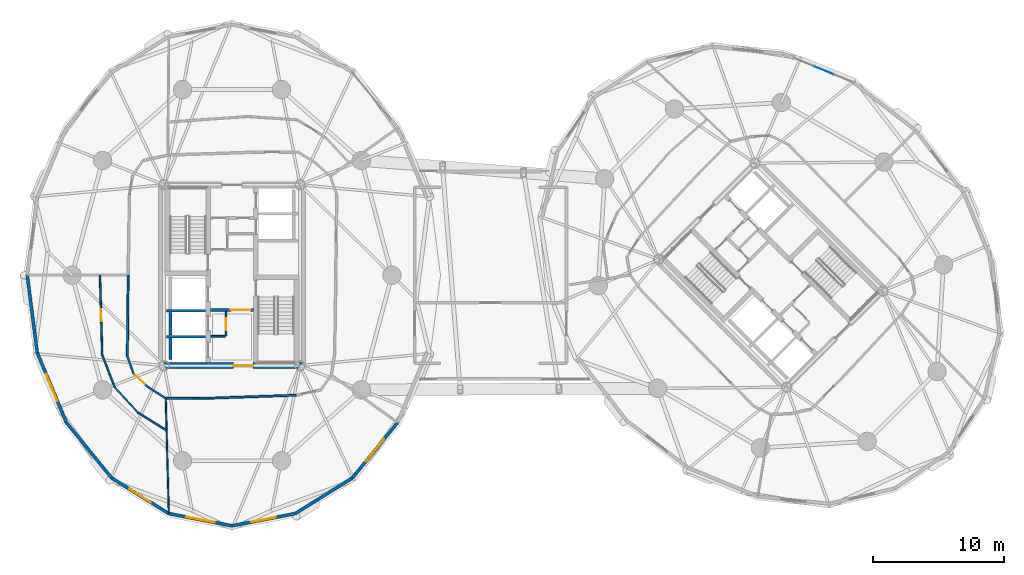
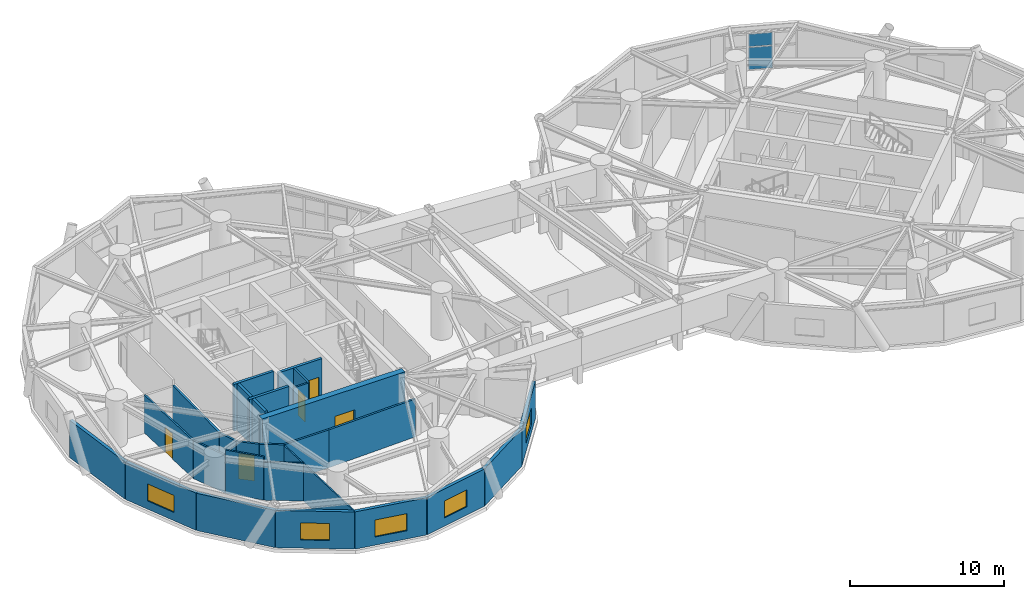
# One storey, part 9 of 17: 27 walls, 5 doors, 5 windows, 2 plates, 10 openings, 1 element without a shape of its own.
"""IFC4 building model written with IfcOpenShell, lengths in metres."""

from ifc_helpers import new_model, si_unit, direction, frame, frame_2d, origin, origin_2d, place, context, subcontext, project, spatial, rectangle, extrude, source, transform, mapped, material, layer, layer_set, type_object, element, fill, aggregate, save


model = new_model("IFC4")

# Units and contexts
model_context = context("Model", 3, precision=1e-05, world=origin(), true_north=direction((0.0, 1.0)))
body_context = subcontext(model_context, "Body", "Model", "MODEL_VIEW")
ifc_project = project(units=[si_unit("LENGTHUNIT", "METRE"), si_unit("AREAUNIT", "SQUARE_METRE"), si_unit("VOLUMEUNIT", "CUBIC_METRE"), si_unit("PLANEANGLEUNIT", "RADIAN"), si_unit("MASSUNIT", "GRAM", prefix="KILO")], contexts=[model_context])

# Site, building, storey
site_placement = place(None, origin())
site = spatial("IfcSite", under=ifc_project, at=site_placement, CompositionType="ELEMENT")
building_placement = place(site_placement, origin())
building = spatial("IfcBuilding", under=site, at=building_placement, Name="Cununo Teusaquillo Station Towers", CompositionType="ELEMENT")
storey_placement = place(building_placement, frame((0.0, 0.0, 125.43994140625)))
storey = spatial("IfcBuildingStorey", under=building, at=storey_placement, Name="L40", CompositionType="ELEMENT", Elevation=125.43994140625)

# Curtain wall, plates
ifc_material_1 = material(Name="Ceramic-fritted dark low-E double glazing", Category="glass")
ifc_layer_1 = layer(ifc_material_1, 0.179931640625)
ifc_layer_set_1 = layer_set([ifc_layer_1], Name="Ceramic-fritted dark low-E double glazing")
curtain_wall_type = type_object("IfcCurtainWallType", Name="CW-SYS-04", PredefinedType="USERDEFINED", material=ifc_layer_set_1)
curtain_wall_placement = place(storey_placement, origin())
curtain_wall = element("IfcCurtainWall", 1, at=curtain_wall_placement, inside=storey, type_object=curtain_wall_type, Name="L40 Tower B Facade Curtain Wall C01", ObjectType="FRITTED GLAZING", PredefinedType="USERDEFINED")
ifc_material_2 = material(Name="Ceramic-fritted dark low-E double glazing", Category="glass")
ifc_layer_2 = layer(ifc_material_2, 0.028076171875)
ifc_layer_set_2 = layer_set([ifc_layer_2], Name="Ceramic-fritted dark low-E double glazing")
plate_type = type_object("IfcPlateType", Name="CWP-FRIT-28", PredefinedType="CURTAIN_PANEL", material=ifc_layer_set_2)
shared_shape_1 = source(origin(), body_context, "Body", "SweptSolid", [
    extrude(rectangle(XDim=1.566162109375, YDim=0.028076171875, at=origin_2d()), origin(), (0.0, 0.0, 1.0), 1.7451171875),
])
plate_1_placement = place(storey_placement, frame((61.542236328125, 40.080322265625, 0.070068359375), z_axis=(0.0, 0.0, 1.0), x_axis=(0.924562443652, -0.381030560176, 0.0)))
plate_1 = element("IfcPlate", 2, at=plate_1_placement, type_object=plate_type, Name="CW-04 panel 2.1", PredefinedType="CURTAIN_PANEL", context=body_context, shape_type="MappedRepresentation", body=[
    mapped(shared_shape_1, transform((0.0, 0.0, 0.0), x_axis=(1.0, 0.0, 0.0), y_axis=(0.0, 1.0, 0.0), z_axis=(0.0, 0.0, 1.0), scale=1.0)),
])
shared_shape_2 = source(origin(), body_context, "Body", "SweptSolid", [
    extrude(rectangle(XDim=1.566162109375, YDim=0.028076171875, at=origin_2d()), origin(), (0.0, 0.0, 1.0), 0.993896484375),
])
plate_2_placement = place(storey_placement, frame((61.542236328125, 40.080322265625, 1.88525390625), z_axis=(0.0, 0.0, 1.0), x_axis=(0.924562443652, -0.381030560176, 0.0)))
plate_2 = element("IfcPlate", 3, at=plate_2_placement, type_object=plate_type, Name="CW-04 panel 2.2", PredefinedType="CURTAIN_PANEL", context=body_context, shape_type="MappedRepresentation", body=[
    mapped(shared_shape_2, transform((0.0, 0.0, 0.0), x_axis=(1.0, 0.0, 0.0), y_axis=(0.0, 1.0, 0.0), z_axis=(0.0, 0.0, 1.0), scale=1.0)),
])
aggregate(curtain_wall, [plate_1, plate_2])

# Walls
ifc_material_3 = material(Name="Concrete C50/60", Category="concrete")
ifc_layer_3 = layer(ifc_material_3, 0.199951171875)
ifc_layer_set_3 = layer_set([ifc_layer_3], Name="Concrete C50/60")
wall_type_1 = type_object("IfcWallType", Name="WL-CORE-200", PredefinedType="SHEAR", material=ifc_layer_set_3)
for number, where, z_axis, x_axis, name in (
    (4, (11.52001953125, 21.800048828125, 0.0), (0.0, 0.0, 1.0), (1.0, 0.0, 0.0), "L40 Tower A Firefighting Lift Shaft South Shear Wall"),
    (5, (11.52001953125, 19.824951171875, 0.0), (0.0, 0.0, 1.0), (1.0, 0.0, 0.0), "L40 Tower A High-Rise Lift Hoistway Divider Shear Wall"),
):
    element("IfcWall", number, at=place(storey_placement, frame(where, z_axis=z_axis, x_axis=x_axis)), inside=storey, type_object=wall_type_1, Name=name, PredefinedType="SHEAR", context=body_context, shape_type="SweptSolid", body=[
        extrude(rectangle(XDim=2.969970703125, YDim=0.199951171875, at=frame_2d((1.48486328125, 0.0))), origin(), (0.0, 0.0, 1.0), 3.719970703125),
    ])
wall_1_placement = place(storey_placement, frame((11.820068359375, 19.945068359375, 0.0), z_axis=(0.0, 0.0, 1.0), x_axis=(0.0, 1.0, 0.0)))
element("IfcWall", 6, at=wall_1_placement, inside=storey, type_object=wall_type_1, Name="L40 Tower A High-Rise Lift 2 Shaft Rear Shear Wall", PredefinedType="SHEAR", context=body_context, shape_type="SweptSolid", body=[
    extrude(rectangle(XDim=1.73486328125, YDim=0.199951171875, at=frame_2d((0.867431640625, 0.0))), origin(), (0.0, 0.0, 1.0), 3.719970703125),
])
wall_2_placement = place(storey_placement, frame((11.820068359375, 18.070068359375, 0.0), z_axis=(0.0, 0.0, 1.0), x_axis=(0.0, 1.0, 0.0)))
element("IfcWall", 7, at=wall_2_placement, inside=storey, type_object=wall_type_1, Name="L40 Tower A High-Rise Lift 1 Shaft Rear Shear Wall", PredefinedType="SHEAR", context=body_context, shape_type="SweptSolid", body=[
    extrude(rectangle(XDim=1.635009765625, YDim=0.199951171875, at=frame_2d((0.8173828125, 0.0))), origin(), (0.0, 0.0, 1.0), 3.719970703125),
])

# Wall, opening, door
ifc_material_4 = material(Name="Concrete C60/75", Category="concrete")
ifc_layer_4 = layer(ifc_material_4, 0.449951171875)
ifc_layer_set_4 = layer_set([ifc_layer_4], Name="Concrete C60/75")
wall_type_2 = type_object("IfcWallType", Name="WL-CORE-450", PredefinedType="SHEAR", material=ifc_layer_set_4)
wall_3_placement = place(storey_placement, frame((11.14990234375, 17.625, 0.0), z_axis=(0.0, 0.0, 1.0), x_axis=(1.0, 0.0, 0.0)))
wall_3 = element("IfcWall", 8, at=wall_3_placement, inside=storey, type_object=wall_type_2, Name="L40 Tower A Core Shear Wall S", PredefinedType="SHEAR", context=body_context, shape_type="SweptSolid", body=[
    extrude(rectangle(XDim=10.7001953125, YDim=0.449951171875, at=frame_2d((5.35009765625, 0.0))), origin(), (0.0, 0.0, 1.0), 3.719970703125),
])
shared_shape_3 = source(origin(), body_context, "Body", "SweptSolid", [
    extrude(rectangle(XDim=1.5, YDim=2.02001953125, at=frame_2d((0.75, 1.010009765625))), frame((0.0, 0.23486328125, 0.0), z_axis=(0.0, -1.0, 0.0), x_axis=(1.0, 0.0, 0.0)), (0.0, 0.0, 1.0), 0.469970703125),
])
opening_1_placement = place(wall_3_placement, frame((5.449951171875, 0.0, 0.0)))
opening_1 = element("IfcOpeningElement", 9, at=opening_1_placement, cuts=wall_3, Name="Opening D-LB1", PredefinedType="OPENING", context=body_context, shape_type="MappedRepresentation", body=[
    mapped(shared_shape_3, transform((0.0, 0.0, 0.0), x_axis=(1.0, 0.0, 0.0), y_axis=(0.0, 1.0, 0.0), z_axis=(0.0, 0.0, 1.0), scale=1.0)),
])
ifc_material_5 = material(Name="Galvanised fire-rated hollow steel door assembly", Category="steel")
door_type_1 = type_object("IfcDoorType", Name="DR-LOBBY-1500", OperationType="DOUBLE_DOOR_SINGLE_SWING", PredefinedType="DOOR", material=ifc_material_5)
shared_shape_4 = source(origin(), body_context, "Body", "SweptSolid", [
    extrude(rectangle(XDim=1.5, YDim=2.02001953125, at=frame_2d((0.75, 1.010009765625))), frame((0.0, 0.02490234375, 0.0), z_axis=(0.0, -1.0, 0.0), x_axis=(1.0, 0.0, 0.0)), (0.0, 0.0, 1.0), 0.050048828125),
])
door_1_placement = place(opening_1_placement, origin())
door_1 = element("IfcDoor", 10, at=door_1_placement, inside=storey, type_object=door_type_1, Name="L40 Tower A South Core Lift Lobby Door", OperationType="DOUBLE_DOOR_SINGLE_SWING", OverallHeight=2.02001953125, OverallWidth=1.5, PredefinedType="DOOR", context=body_context, shape_type="MappedRepresentation", body=[
    mapped(shared_shape_4, transform((0.0, 0.0, 0.0), x_axis=(1.0, 0.0, 0.0), y_axis=(0.0, 1.0, 0.0), z_axis=(0.0, 0.0, 1.0), scale=1.0)),
])
fill(opening_1, door_1)

# Wall
ifc_material_6 = material(Name="Precast concrete C40/50", Category="concrete")
ifc_layer_5 = layer(ifc_material_6, 0.239990234375)
ifc_layer_set_5 = layer_set([ifc_layer_5], Name="Precast concrete C40/50")
wall_type_3 = type_object("IfcWallType", Name="WL-EXT-240", PredefinedType="SOLIDWALL", material=ifc_layer_set_5)
wall_4_placement = place(storey_placement, frame((1.681640625, 18.60693359375, 0.0), z_axis=(0.0, 0.0, 1.0), x_axis=(-0.128351991996, 0.991728675672, 0.0)))
element("IfcWall", 11, at=wall_4_placement, inside=storey, type_object=wall_type_3, Name="L40 Tower A Exterior Facade Wall C10", PredefinedType="SOLIDWALL", context=body_context, shape_type="SweptSolid", body=[
    extrude(rectangle(XDim=5.942138671875, YDim=0.239990234375, at=frame_2d((2.97119140625, 0.0))), origin(), (0.0, 0.0, 1.0), 2.948974609375),
])

# Wall, opening, window
wall_5_placement = place(storey_placement, frame((3.894775390625, 13.291015625, 0.0), z_axis=(0.0, 0.0, 1.0), x_axis=(-0.384344417632, 0.923189779317, 0.0)))
wall_5 = element("IfcWall", 12, at=wall_5_placement, inside=storey, type_object=wall_type_3, Name="L40 Tower A Exterior Facade Wall C11", PredefinedType="SOLIDWALL", context=body_context, shape_type="SweptSolid", body=[
    extrude(rectangle(XDim=5.75830078125, YDim=0.239990234375, at=frame_2d((2.879150390625, 0.0))), origin(), (0.0, 0.0, 1.0), 2.948974609375),
])
shared_shape_5 = source(origin(), body_context, "Body", "SweptSolid", [
    extrude(rectangle(XDim=2.199951171875, YDim=1.35009765625, at=frame_2d((1.10009765625, 0.675048828125))), frame((0.0, 0.1298828125, 0.0), z_axis=(0.0, -1.0, 0.0), x_axis=(1.0, 0.0, 0.0)), (0.0, 0.0, 1.0), 0.260009765625),
])
opening_2_placement = place(wall_5_placement, frame((1.779052734375, 0.0, 0.64990234375)))
opening_2 = element("IfcOpeningElement", 13, at=opening_2_placement, cuts=wall_5, Name="Opening WN-01", PredefinedType="OPENING", context=body_context, shape_type="MappedRepresentation", body=[
    mapped(shared_shape_5, transform((0.0, 0.0, 0.0), x_axis=(1.0, 0.0, 0.0), y_axis=(0.0, 1.0, 0.0), z_axis=(0.0, 0.0, 1.0), scale=1.0)),
])
ifc_material_7 = material(Name="Ceramic-fritted dark low-E double glazing", Category="glass")
window_type_1 = type_object("IfcWindowType", Name="WIN-FRIT-2200", PartitioningType="DOUBLE_PANEL_VERTICAL", PredefinedType="WINDOW", material=ifc_material_7)
shared_shape_6 = source(origin(), body_context, "Body", "SweptSolid", [
    extrude(rectangle(XDim=2.199951171875, YDim=1.35009765625, at=frame_2d((1.10009765625, 0.675048828125))), frame((0.0, 0.030029296875, 0.0), z_axis=(0.0, -1.0, 0.0), x_axis=(1.0, 0.0, 0.0)), (0.0, 0.0, 1.0), 0.06005859375),
])
window_1_placement = place(opening_2_placement, origin())
window_1 = element("IfcWindow", 14, at=window_1_placement, inside=storey, type_object=window_type_1, Name="L40 Tower A Facade Window C11", OverallHeight=1.35009765625, OverallWidth=2.199951171875, PartitioningType="DOUBLE_PANEL_VERTICAL", PredefinedType="WINDOW", context=body_context, shape_type="MappedRepresentation", body=[
    mapped(shared_shape_6, transform((0.0, 0.0, 0.0), x_axis=(1.0, 0.0, 0.0), y_axis=(0.0, 1.0, 0.0), z_axis=(0.0, 0.0, 1.0), scale=1.0)),
])
fill(opening_2, window_1)

# Wall
wall_6_placement = place(storey_placement, frame((7.341796875, 9.072021484375, 0.0), z_axis=(0.0, 0.0, 1.0), x_axis=(-0.632700781152, 0.77439635945, 0.0)))
element("IfcWall", 15, at=wall_6_placement, inside=storey, type_object=wall_type_3, Name="L40 Tower A Exterior Facade Wall C12", PredefinedType="SOLIDWALL", context=body_context, shape_type="SweptSolid", body=[
    extrude(rectangle(XDim=5.447998046875, YDim=0.239990234375, at=frame_2d((2.72412109375, 0.0))), origin(), (0.0, 0.0, 1.0), 2.948974609375),
])

# Wall, opening, window
wall_7_placement = place(storey_placement, frame((11.685302734375, 6.36328125, 0.0), z_axis=(0.0, 0.0, 1.0), x_axis=(-0.848520380187, 0.529162701263, 0.0)))
wall_7 = element("IfcWall", 16, at=wall_7_placement, inside=storey, type_object=wall_type_3, Name="L40 Tower A Exterior Facade Wall C13", PredefinedType="SOLIDWALL", context=body_context, shape_type="SweptSolid", body=[
    extrude(rectangle(XDim=5.118896484375, YDim=0.239990234375, at=frame_2d((2.5595703125, 0.0))), origin(), (0.0, 0.0, 1.0), 2.948974609375),
])
shared_shape_7 = source(origin(), body_context, "Body", "SweptSolid", [
    extrude(rectangle(XDim=1.89990234375, YDim=1.35009765625, at=frame_2d((0.949951171875, 0.675048828125))), frame((0.0, 0.1298828125, 0.0), z_axis=(0.0, -1.0, 0.0), x_axis=(1.0, 0.0, 0.0)), (0.0, 0.0, 1.0), 0.260009765625),
])
opening_3_placement = place(wall_7_placement, frame((1.60888671875, 0.0, 0.64990234375)))
opening_3 = element("IfcOpeningElement", 17, at=opening_3_placement, cuts=wall_7, Name="Opening WN-02", PredefinedType="OPENING", context=body_context, shape_type="MappedRepresentation", body=[
    mapped(shared_shape_7, transform((0.0, 0.0, 0.0), x_axis=(1.0, 0.0, 0.0), y_axis=(0.0, 1.0, 0.0), z_axis=(0.0, 0.0, 1.0), scale=1.0)),
])
ifc_material_8 = material(Name="Operable acoustic tinted low-E double glazing", Category="glass")
window_type_2 = type_object("IfcWindowType", Name="WIN-OPER-1900", PartitioningType="DOUBLE_PANEL_VERTICAL", PredefinedType="WINDOW", material=ifc_material_8)
shared_shape_8 = source(origin(), body_context, "Body", "SweptSolid", [
    extrude(rectangle(XDim=1.89990234375, YDim=1.35009765625, at=frame_2d((0.949951171875, 0.675048828125))), frame((0.0, 0.030029296875, 0.0), z_axis=(0.0, -1.0, 0.0), x_axis=(1.0, 0.0, 0.0)), (0.0, 0.0, 1.0), 0.06005859375),
])
window_2_placement = place(opening_3_placement, origin())
window_2 = element("IfcWindow", 18, at=window_2_placement, inside=storey, type_object=window_type_2, Name="L40 Tower A Facade Window C13", OverallHeight=1.35009765625, OverallWidth=1.89990234375, PartitioningType="DOUBLE_PANEL_VERTICAL", PredefinedType="WINDOW", context=body_context, shape_type="MappedRepresentation", body=[
    mapped(shared_shape_8, transform((0.0, 0.0, 0.0), x_axis=(1.0, 0.0, 0.0), y_axis=(0.0, 1.0, 0.0), z_axis=(0.0, 0.0, 1.0), scale=1.0)),
])
fill(opening_3, window_2)

wall_8_placement = place(storey_placement, frame((16.5, 5.429931640625, 0.0), z_axis=(0.0, 0.0, 1.0), x_axis=(-0.981723785992, 0.190311344954, 0.0)))
wall_8 = element("IfcWall", 19, at=wall_8_placement, inside=storey, type_object=wall_type_3, Name="L40 Tower A Exterior Facade Wall C14", PredefinedType="SOLIDWALL", context=body_context, shape_type="SweptSolid", body=[
    extrude(rectangle(XDim=4.904296875, YDim=0.239990234375, at=frame_2d((2.4521484375, 0.0))), origin(), (0.0, 0.0, 1.0), 2.948974609375),
])
opening_4_placement = place(wall_8_placement, frame((1.35205078125, 0.0, 0.64990234375)))
opening_4 = element("IfcOpeningElement", 20, at=opening_4_placement, cuts=wall_8, Name="Opening WN-01", PredefinedType="OPENING", context=body_context, shape_type="MappedRepresentation", body=[
    mapped(shared_shape_5, transform((0.0, 0.0, 0.0), x_axis=(1.0, 0.0, 0.0), y_axis=(0.0, 1.0, 0.0), z_axis=(0.0, 0.0, 1.0), scale=1.0)),
])
window_3_placement = place(opening_4_placement, origin())
window_3 = element("IfcWindow", 21, at=window_3_placement, inside=storey, type_object=window_type_1, Name="L40 Tower A Facade Window C14", OverallHeight=1.35009765625, OverallWidth=2.199951171875, PartitioningType="DOUBLE_PANEL_VERTICAL", PredefinedType="WINDOW", context=body_context, shape_type="MappedRepresentation", body=[
    mapped(shared_shape_6, transform((0.0, 0.0, 0.0), x_axis=(1.0, 0.0, 0.0), y_axis=(0.0, 1.0, 0.0), z_axis=(0.0, 0.0, 1.0), scale=1.0)),
])
fill(opening_4, window_3)

wall_9_placement = place(storey_placement, frame((21.314697265625, 6.36328125, 0.0), z_axis=(0.0, 0.0, 1.0), x_axis=(-0.981723785992, -0.190311344954, 0.0)))
wall_9 = element("IfcWall", 22, at=wall_9_placement, inside=storey, type_object=wall_type_3, Name="L40 Tower A Exterior Facade Wall C15", PredefinedType="SOLIDWALL", context=body_context, shape_type="SweptSolid", body=[
    extrude(rectangle(XDim=4.904296875, YDim=0.239990234375, at=frame_2d((2.4521484375, 0.0))), origin(), (0.0, 0.0, 1.0), 2.948974609375),
])
opening_5_placement = place(wall_9_placement, frame((1.501953125, 0.0, 0.64990234375)))
opening_5 = element("IfcOpeningElement", 23, at=opening_5_placement, cuts=wall_9, Name="Opening WN-02", PredefinedType="OPENING", context=body_context, shape_type="MappedRepresentation", body=[
    mapped(shared_shape_7, transform((0.0, 0.0, 0.0), x_axis=(1.0, 0.0, 0.0), y_axis=(0.0, 1.0, 0.0), z_axis=(0.0, 0.0, 1.0), scale=1.0)),
])
window_4_placement = place(opening_5_placement, origin())
window_4 = element("IfcWindow", 24, at=window_4_placement, inside=storey, type_object=window_type_2, Name="L40 Tower A Facade Window C15", OverallHeight=1.35009765625, OverallWidth=1.89990234375, PartitioningType="DOUBLE_PANEL_VERTICAL", PredefinedType="WINDOW", context=body_context, shape_type="MappedRepresentation", body=[
    mapped(shared_shape_8, transform((0.0, 0.0, 0.0), x_axis=(1.0, 0.0, 0.0), y_axis=(0.0, 1.0, 0.0), z_axis=(0.0, 0.0, 1.0), scale=1.0)),
])
fill(opening_5, window_4)

# Wall
wall_10_placement = place(storey_placement, frame((25.658203125, 9.072021484375, 0.0), z_axis=(0.0, 0.0, 1.0), x_axis=(-0.848520380187, -0.529162701263, 0.0)))
element("IfcWall", 25, at=wall_10_placement, inside=storey, type_object=wall_type_3, Name="L40 Tower A Exterior Facade Wall C16", PredefinedType="SOLIDWALL", context=body_context, shape_type="SweptSolid", body=[
    extrude(rectangle(XDim=5.118896484375, YDim=0.239990234375, at=frame_2d((2.5595703125, 0.0))), origin(), (0.0, 0.0, 1.0), 2.948974609375),
])

# Wall, opening, window
wall_11_placement = place(storey_placement, frame((29.105224609375, 13.291015625, 0.0), z_axis=(0.0, 0.0, 1.0), x_axis=(-0.632700781152, -0.77439635945, 0.0)))
wall_11 = element("IfcWall", 26, at=wall_11_placement, inside=storey, type_object=wall_type_3, Name="L40 Tower A Exterior Facade Wall C17", PredefinedType="SOLIDWALL", context=body_context, shape_type="SweptSolid", body=[
    extrude(rectangle(XDim=5.447998046875, YDim=0.239990234375, at=frame_2d((2.72412109375, 0.0))), origin(), (0.0, 0.0, 1.0), 2.948974609375),
])
opening_6_placement = place(wall_11_placement, frame((1.6240234375, 0.0, 0.64990234375)))
opening_6 = element("IfcOpeningElement", 27, at=opening_6_placement, cuts=wall_11, Name="Opening WN-01", PredefinedType="OPENING", context=body_context, shape_type="MappedRepresentation", body=[
    mapped(shared_shape_5, transform((0.0, 0.0, 0.0), x_axis=(1.0, 0.0, 0.0), y_axis=(0.0, 1.0, 0.0), z_axis=(0.0, 0.0, 1.0), scale=1.0)),
])
window_5_placement = place(opening_6_placement, origin())
window_5 = element("IfcWindow", 28, at=window_5_placement, inside=storey, type_object=window_type_1, Name="L40 Tower A Facade Window C17", OverallHeight=1.35009765625, OverallWidth=2.199951171875, PartitioningType="DOUBLE_PANEL_VERTICAL", PredefinedType="WINDOW", context=body_context, shape_type="MappedRepresentation", body=[
    mapped(shared_shape_6, transform((0.0, 0.0, 0.0), x_axis=(1.0, 0.0, 0.0), y_axis=(0.0, 1.0, 0.0), z_axis=(0.0, 0.0, 1.0), scale=1.0)),
])
fill(opening_6, window_5)

# Wall
ifc_material_9 = material(Name="Fire-rated gypsum plasterboard partition assembly", Category="gypsum")
ifc_layer_6 = layer(ifc_material_9, 0.10009765625)
ifc_layer_set_6 = layer_set([ifc_layer_6], Name="Fire-rated gypsum plasterboard partition assembly")
wall_type_4 = type_object("IfcWallType", Name="WL-PART-100", PredefinedType="MOVABLE", material=ifc_layer_set_6)
wall_12_placement = place(storey_placement, frame((11.459716796875, 15.128662109375, 0.0), z_axis=(0.0, 0.0, 1.0), x_axis=(0.026480592098, -0.999649327636, 0.0)))
element("IfcWall", 29, at=wall_12_placement, inside=storey, type_object=wall_type_4, Name="L40 Tower A Radial Suite Partition R04", PredefinedType="MOVABLE", context=body_context, shape_type="SweptSolid", body=[
    extrude(rectangle(XDim=8.74951171875, YDim=0.10009765625, at=frame_2d((4.374755859375, 0.0))), origin(), (0.0, 0.0, 1.0), 2.948974609375),
])

# Wall, opening, door
ifc_material_10 = material(Name="Fire-rated gypsum plasterboard partition assembly", Category="gypsum")
ifc_layer_7 = layer(ifc_material_10, 0.125)
ifc_layer_set_7 = layer_set([ifc_layer_7], Name="Fire-rated gypsum plasterboard partition assembly")
wall_type_5 = type_object("IfcWallType", Name="WL-PART-125", PredefinedType="PARTITIONING", material=ifc_layer_set_7)
wall_13_placement = place(storey_placement, frame((16.050048828125, 19.8798828125, 0.0), z_axis=(0.0, 0.0, 1.0), x_axis=(0.0, 1.0, 0.0)))
wall_13 = element("IfcWall", 30, at=wall_13_placement, inside=storey, type_object=wall_type_5, Name="L40 Tower A North-West Lobby Store East Wall", PredefinedType="PARTITIONING", context=body_context, shape_type="SweptSolid", body=[
    extrude(rectangle(XDim=1.8701171875, YDim=0.125, at=frame_2d((0.93505859375, 0.0))), origin(), (0.0, 0.0, 1.0), 3.425048828125),
])
shared_shape_9 = source(origin(), body_context, "Body", "SweptSolid", [
    extrude(rectangle(XDim=0.89990234375, YDim=2.0048828125, at=frame_2d((0.449951171875, 1.00244140625))), frame((0.0, 0.072509765625, 0.0), z_axis=(0.0, -1.0, 0.0), x_axis=(1.0, 0.0, 0.0)), (0.0, 0.0, 1.0), 0.14501953125),
])
opening_7_placement = place(wall_13_placement, frame((0.449951171875, 0.0, 0.0)))
opening_7 = element("IfcOpeningElement", 31, at=opening_7_placement, cuts=wall_13, Name="Opening D-SR1", PredefinedType="OPENING", context=body_context, shape_type="MappedRepresentation", body=[
    mapped(shared_shape_9, transform((0.0, 0.0, 0.0), x_axis=(1.0, 0.0, 0.0), y_axis=(0.0, 1.0, 0.0), z_axis=(0.0, 0.0, 1.0), scale=1.0)),
])
ifc_material_11 = material(Name="Galvanised fire-rated hollow steel door assembly", Category="steel")
door_type_2 = type_object("IfcDoorType", Name="DR-STORE-900", OperationType="NOTDEFINED", PredefinedType="DOOR", material=ifc_material_11)
shared_shape_10 = source(origin(), body_context, "Body", "SweptSolid", [
    extrude(rectangle(XDim=0.89990234375, YDim=2.0048828125, at=frame_2d((0.449951171875, 1.00244140625))), frame((0.0, 0.02490234375, 0.0), z_axis=(0.0, -1.0, 0.0), x_axis=(1.0, 0.0, 0.0)), (0.0, 0.0, 1.0), 0.050048828125),
])
door_2_placement = place(opening_7_placement, origin())
door_2 = element("IfcDoor", 32, at=door_2_placement, inside=storey, type_object=door_type_2, Name="L40 Tower A South Lobby Data Store Door", OperationType="SINGLE_SWING_RIGHT", OverallHeight=2.0048828125, OverallWidth=0.89990234375, PredefinedType="DOOR", context=body_context, shape_type="MappedRepresentation", body=[
    mapped(shared_shape_10, transform((0.0, 0.0, 0.0), x_axis=(1.0, 0.0, 0.0), y_axis=(0.0, 1.0, 0.0), z_axis=(0.0, 0.0, 1.0), scale=1.0)),
])
fill(opening_7, door_2)

# Wall
wall_14_placement = place(storey_placement, frame((14.8798828125, 19.85009765625, 0.0), z_axis=(0.0, 0.0, 1.0), x_axis=(1.0, 0.0, 0.0)))
element("IfcWall", 33, at=wall_14_placement, inside=storey, type_object=wall_type_5, Name="L40 Tower A North-West Lobby Store South Wall", PredefinedType="PARTITIONING", context=body_context, shape_type="SweptSolid", body=[
    extrude(rectangle(XDim=1.10009765625, YDim=0.125, at=frame_2d((0.550048828125, 0.0))), origin(), (0.0, 0.0, 1.0), 3.425048828125),
])

# Wall, opening, door
wall_15_placement = place(storey_placement, frame((6.454833984375, 24.5, 0.0), z_axis=(0.0, 0.0, 1.0), x_axis=(0.027753708707, -0.999614791634, 0.0)))
wall_15 = element("IfcWall", 34, at=wall_15_placement, inside=storey, type_object=wall_type_5, Name="L40 Tower A VIP Delegation Briefing Salon Concentric Partition Wall C10", PredefinedType="PARTITIONING", context=body_context, shape_type="SweptSolid", body=[
    extrude(rectangle(XDim=6.08740234375, YDim=0.125, at=frame_2d((3.043701171875, 0.0))), origin(), (0.0, 0.0, 1.0), 2.9951171875),
])
opening_8_placement = place(wall_15_placement, frame((2.593505859375, 0.0, 0.0)))
opening_8 = element("IfcOpeningElement", 35, at=opening_8_placement, cuts=wall_15, Name="Opening D-IN1", PredefinedType="OPENING", context=body_context, shape_type="MappedRepresentation", body=[
    mapped(shared_shape_9, transform((0.0, 0.0, 0.0), x_axis=(1.0, 0.0, 0.0), y_axis=(0.0, 1.0, 0.0), z_axis=(0.0, 0.0, 1.0), scale=1.0)),
])
ifc_material_12 = material(Name="Acoustic solid-core hardwood leaf assembly", Category="wood")
door_type_3 = type_object("IfcDoorType", Name="DR-INT-900", OperationType="NOTDEFINED", PredefinedType="DOOR", material=ifc_material_12)
door_3_placement = place(opening_8_placement, origin())
door_3 = element("IfcDoor", 36, at=door_3_placement, inside=storey, type_object=door_type_3, Name="L40 Tower A VIP Delegation Briefing Salon Connecting Door", OperationType="SINGLE_SWING_LEFT", OverallHeight=2.0048828125, OverallWidth=0.89990234375, PredefinedType="DOOR", context=body_context, shape_type="MappedRepresentation", body=[
    mapped(shared_shape_10, transform((0.0, 0.0, 0.0), x_axis=(1.0, 0.0, 0.0), y_axis=(0.0, 1.0, 0.0), z_axis=(0.0, 0.0, 1.0), scale=1.0)),
])
fill(opening_8, door_3)

# Walls
wall_16_placement = place(storey_placement, frame((6.623779296875, 18.4150390625, 0.0), z_axis=(0.0, 0.0, 1.0), x_axis=(0.363854295337, -0.931455877519, 0.0)))
element("IfcWall", 37, at=wall_16_placement, inside=storey, type_object=wall_type_5, Name="L40 Tower A VIP Delegation Briefing Salon Concentric Partition Wall C11", PredefinedType="PARTITIONING", context=body_context, shape_type="SweptSolid", body=[
    extrude(rectangle(XDim=2.635009765625, YDim=0.125, at=frame_2d((1.3173828125, 0.0))), origin(), (0.0, 0.0, 1.0), 2.9951171875),
])
wall_17_placement = place(storey_placement, frame((7.58251953125, 15.960693359375, 0.0), z_axis=(0.0, 0.0, 1.0), x_axis=(0.677838563189, -0.735210774032, 0.0)))
element("IfcWall", 38, at=wall_17_placement, inside=storey, type_object=wall_type_5, Name="L40 Tower A VIP Delegation Briefing Salon Concentric Partition Wall C12", PredefinedType="PARTITIONING", context=body_context, shape_type="SweptSolid", body=[
    extrude(rectangle(XDim=2.595703125, YDim=0.125, at=frame_2d((1.2978515625, 0.0))), origin(), (0.0, 0.0, 1.0), 3.425048828125),
])
wall_18_placement = place(storey_placement, frame((9.342041015625, 14.05224609375, 0.0), z_axis=(0.0, 0.0, 1.0), x_axis=(0.846526826244, -0.532346064557, 0.0)))
element("IfcWall", 39, at=wall_18_placement, inside=storey, type_object=wall_type_5, Name="L40 Tower A VIP Delegation Briefing Salon Concentric Partition Wall C13", PredefinedType="PARTITIONING", context=body_context, shape_type="SweptSolid", body=[
    extrude(rectangle(XDim=2.578369140625, YDim=0.125, at=frame_2d((1.2890625, 0.0))), origin(), (0.0, 0.0, 1.0), 2.9951171875),
])
ifc_material_13 = material(Name="Fire-rated gypsum plasterboard partition assembly", Category="gypsum")
ifc_layer_8 = layer(ifc_material_13, 0.14990234375)
ifc_layer_set_8 = layer_set([ifc_layer_8], Name="Fire-rated gypsum plasterboard partition assembly")
wall_type_6 = type_object("IfcWallType", Name="WL-PART-150", PredefinedType="PARTITIONING", material=ifc_layer_set_8)
wall_19_placement = place(storey_placement, frame((8.60009765625, 24.5, 0.0), z_axis=(0.0, 0.0, 1.0), x_axis=(-0.010023665349, -0.999949761805, 0.0)))
element("IfcWall", 40, at=wall_19_placement, inside=storey, type_object=wall_type_6, Name="L40 Tower A Corridor Ring Wall C10", PredefinedType="PARTITIONING", context=body_context, shape_type="SweptSolid", body=[
    extrude(rectangle(XDim=6.162109375, YDim=0.14990234375, at=frame_2d((3.0810546875, 0.0))), origin(), (0.0, 0.0, 1.0), 2.9951171875),
])
wall_20_placement = place(storey_placement, frame((8.538330078125, 18.338134765625, 0.0), z_axis=(0.0, 0.0, 1.0), x_axis=(0.331358150167, -0.94350504838, 0.0)))
element("IfcWall", 41, at=wall_20_placement, inside=storey, type_object=wall_type_6, Name="L40 Tower A Corridor Ring Wall C11", PredefinedType="PARTITIONING", context=body_context, shape_type="SweptSolid", body=[
    extrude(rectangle(XDim=1.42431640625, YDim=0.14990234375, at=frame_2d((0.712158203125, 0.0))), origin(), (0.0, 0.0, 1.0), 2.9951171875),
])

# Wall, opening, door
wall_21_placement = place(storey_placement, frame((9.01025390625, 16.994384765625, 0.0), z_axis=(0.0, 0.0, 1.0), x_axis=(0.737701798986, -0.67512669609, 0.0)))
wall_21 = element("IfcWall", 42, at=wall_21_placement, inside=storey, type_object=wall_type_6, Name="L40 Tower A Corridor Ring Wall C12", PredefinedType="PARTITIONING", context=body_context, shape_type="SweptSolid", body=[
    extrude(rectangle(XDim=1.498291015625, YDim=0.14990234375, at=frame_2d((0.7490234375, 0.0))), origin(), (0.0, 0.0, 1.0), 2.9951171875),
])
shared_shape_11 = source(origin(), body_context, "Body", "SweptSolid", [
    extrude(rectangle(XDim=1.050048828125, YDim=2.014892578125, at=frame_2d((0.52490234375, 1.00732421875))), frame((0.0, 0.0849609375, 0.0), z_axis=(0.0, -1.0, 0.0), x_axis=(1.0, 0.0, 0.0)), (0.0, 0.0, 1.0), 0.169921875),
])
opening_9_placement = place(wall_21_placement, frame((0.1201171875, 0.0, 0.0)))
opening_9 = element("IfcOpeningElement", 43, at=opening_9_placement, cuts=wall_21, Name="Opening D-SU1", PredefinedType="OPENING", context=body_context, shape_type="MappedRepresentation", body=[
    mapped(shared_shape_11, transform((0.0, 0.0, 0.0), x_axis=(1.0, 0.0, 0.0), y_axis=(0.0, 1.0, 0.0), z_axis=(0.0, 0.0, 1.0), scale=1.0)),
])
ifc_material_14 = material(Name="Acoustic solid-core hardwood leaf assembly", Category="wood")
door_type_4 = type_object("IfcDoorType", Name="DR-SUITE-1050", OperationType="NOTDEFINED", PredefinedType="DOOR", material=ifc_material_14)
shared_shape_12 = source(origin(), body_context, "Body", "SweptSolid", [
    extrude(rectangle(XDim=1.050048828125, YDim=2.014892578125, at=frame_2d((0.52490234375, 1.00732421875))), frame((0.0, 0.02490234375, 0.0), z_axis=(0.0, -1.0, 0.0), x_axis=(1.0, 0.0, 0.0)), (0.0, 0.0, 1.0), 0.050048828125),
])
door_4_placement = place(opening_9_placement, origin())
door_4 = element("IfcDoor", 44, at=door_4_placement, inside=storey, type_object=door_type_4, Name="L40 Tower A VIP Delegation Briefing Salon Entrance Door", OperationType="SINGLE_SWING_RIGHT", OverallHeight=2.014892578125, OverallWidth=1.050048828125, PredefinedType="DOOR", context=body_context, shape_type="MappedRepresentation", body=[
    mapped(shared_shape_12, transform((0.0, 0.0, 0.0), x_axis=(1.0, 0.0, 0.0), y_axis=(0.0, 1.0, 0.0), z_axis=(0.0, 0.0, 1.0), scale=1.0)),
])
fill(opening_9, door_4)

# Walls
wall_22_placement = place(storey_placement, frame((10.115478515625, 15.98291015625, 0.0), z_axis=(0.0, 0.0, 1.0), x_axis=(0.843995849351, -0.536349705209, 0.0)))
element("IfcWall", 45, at=wall_22_placement, inside=storey, type_object=wall_type_6, Name="L40 Tower A Corridor Ring Wall C13", PredefinedType="PARTITIONING", context=body_context, shape_type="SweptSolid", body=[
    extrude(rectangle(XDim=1.5927734375, YDim=0.14990234375, at=frame_2d((0.79638671875, 0.0))), origin(), (0.0, 0.0, 1.0), 2.9951171875),
])
wall_23_placement = place(storey_placement, frame((11.459716796875, 15.128662109375, 0.0), z_axis=(0.0, 0.0, 1.0), x_axis=(0.999993513287, 0.003601858435, 0.0)))
element("IfcWall", 46, at=wall_23_placement, inside=storey, type_object=wall_type_6, Name="L40 Tower A Corridor Ring Wall C14", PredefinedType="PARTITIONING", context=body_context, shape_type="SweptSolid", body=[
    extrude(rectangle(XDim=3.3212890625, YDim=0.14990234375, at=frame_2d((1.66064453125, 0.0))), origin(), (0.0, 0.0, 1.0), 2.9951171875),
])
wall_24_placement = place(storey_placement, frame((14.781005859375, 15.140625, 0.0), z_axis=(0.0, 0.0, 1.0), x_axis=(0.999407918707, 0.034406569513, 0.0)))
element("IfcWall", 47, at=wall_24_placement, inside=storey, type_object=wall_type_6, Name="L40 Tower A Corridor Ring Wall C15", PredefinedType="PARTITIONING", context=body_context, shape_type="SweptSolid", body=[
    extrude(rectangle(XDim=6.6416015625, YDim=0.14990234375, at=frame_2d((3.32080078125, 0.0))), origin(), (0.0, 0.0, 1.0), 2.9951171875),
])

# Wall, opening, door
ifc_material_15 = material(Name="Fire-rated gypsum plasterboard partition assembly", Category="gypsum")
ifc_layer_9 = layer(ifc_material_15, 0.199951171875)
ifc_layer_set_9 = layer_set([ifc_layer_9], Name="Fire-rated gypsum plasterboard partition assembly")
wall_type_7 = type_object("IfcWallType", Name="WL-PART-200", PredefinedType="PARTITIONING", material=ifc_layer_set_9)
wall_25_placement = place(storey_placement, frame((14.860107421875, 21.85009765625, 0.0), z_axis=(0.0, 0.0, 1.0), x_axis=(1.0, 0.0, 0.0)))
wall_25 = element("IfcWall", 48, at=wall_25_placement, inside=storey, type_object=wall_type_7, Name="L40 Tower A Firefighting Lift Lobby South Fire Wall", PredefinedType="PARTITIONING", context=body_context, shape_type="SweptSolid", body=[
    extrude(rectangle(XDim=3.27978515625, YDim=0.199951171875, at=frame_2d((1.639892578125, 0.0))), origin(), (0.0, 0.0, 1.0), 3.425048828125),
])
shared_shape_13 = source(origin(), body_context, "Body", "SweptSolid", [
    extrude(rectangle(XDim=1.5, YDim=2.02001953125, at=frame_2d((0.75, 1.010009765625))), frame((0.0, 0.10986328125, 0.0), z_axis=(0.0, -1.0, 0.0), x_axis=(1.0, 0.0, 0.0)), (0.0, 0.0, 1.0), 0.219970703125),
])
opening_10_placement = place(wall_25_placement, frame((1.550048828125, 0.0, 0.0)))
opening_10 = element("IfcOpeningElement", 49, at=opening_10_placement, cuts=wall_25, Name="Opening D-LB1", PredefinedType="OPENING", context=body_context, shape_type="MappedRepresentation", body=[
    mapped(shared_shape_13, transform((0.0, 0.0, 0.0), x_axis=(1.0, 0.0, 0.0), y_axis=(0.0, 1.0, 0.0), z_axis=(0.0, 0.0, 1.0), scale=1.0)),
])
door_5_placement = place(opening_10_placement, origin())
door_5 = element("IfcDoor", 50, at=door_5_placement, inside=storey, type_object=door_type_1, Name="L40 Tower A Firefighting Lift Lobby South Fire Door", OperationType="DOUBLE_DOOR_SINGLE_SWING", OverallHeight=2.02001953125, OverallWidth=1.5, PredefinedType="DOOR", context=body_context, shape_type="MappedRepresentation", body=[
    mapped(shared_shape_4, transform((0.0, 0.0, 0.0), x_axis=(1.0, 0.0, 0.0), y_axis=(0.0, 1.0, 0.0), z_axis=(0.0, 0.0, 1.0), scale=1.0)),
])
fill(opening_10, door_5)

save(model, "model.ifc")
